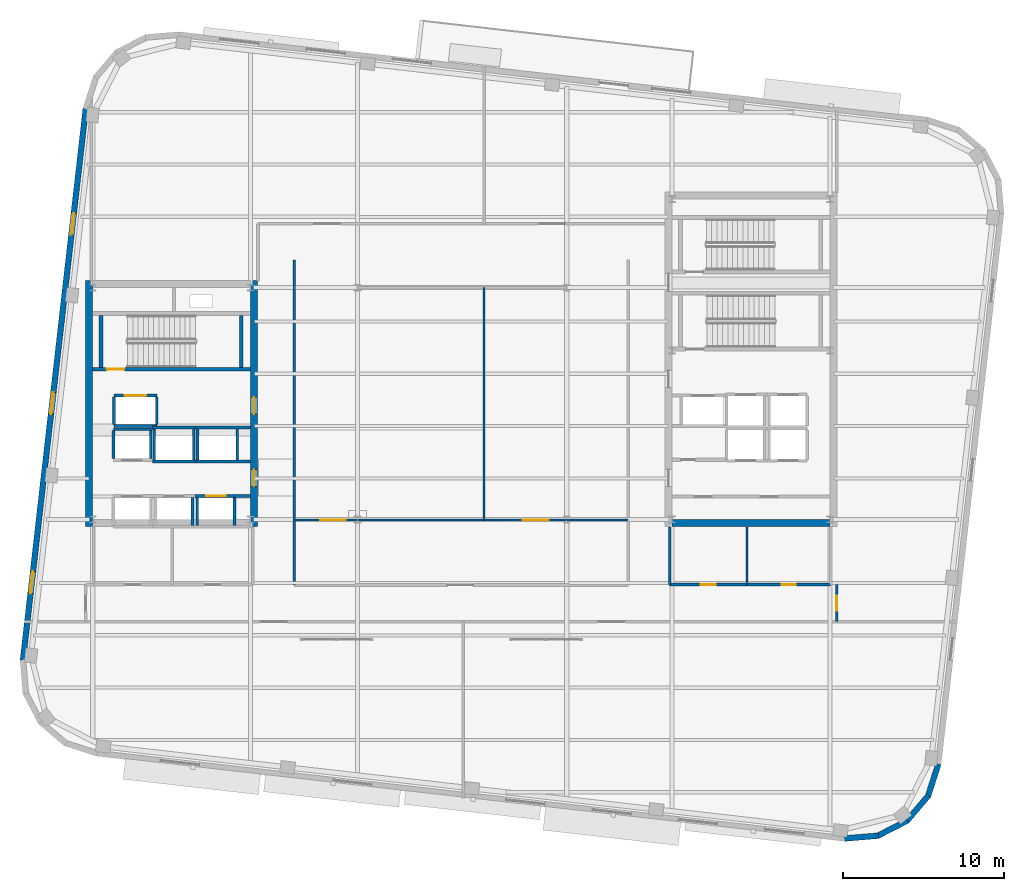
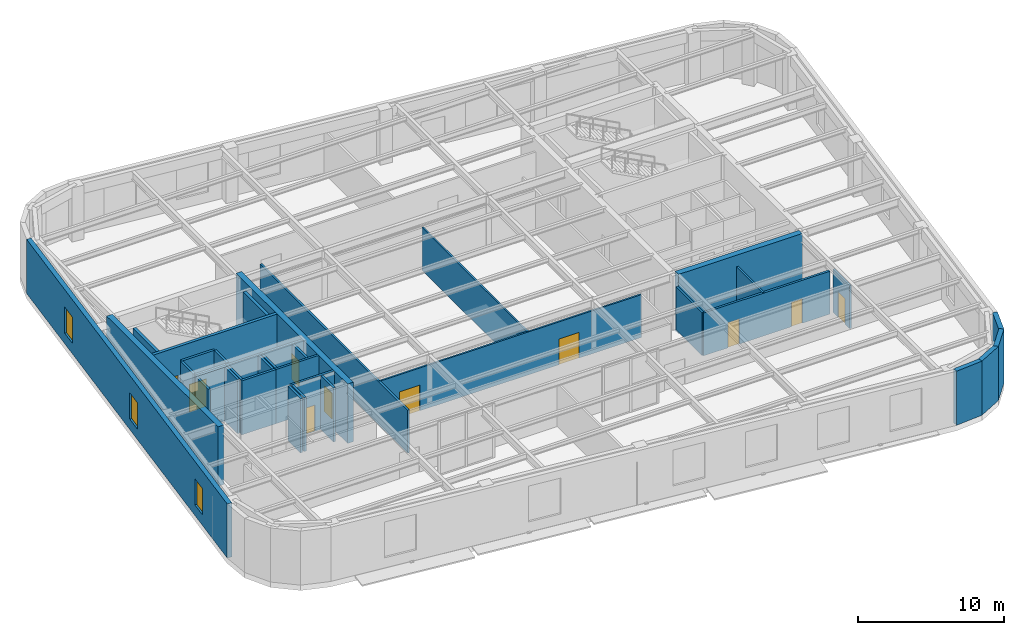
# One storey, part 8 of 15: 37 walls, 10 doors, 3 windows, 13 openings.
"""IFC4 building model written with IfcOpenShell, lengths in metres."""

from ifc_helpers import new_model, si_unit, direction, frame, frame_2d, origin, place, context, subcontext, project, spatial, rectangle, extrude, material, layer, layer_set, type_object, element, fill, save


model = new_model("IFC4")

# Units and contexts
model_context = context("Model", 3, precision=1e-05, world=origin(), true_north=direction((0.0, 1.0)))
body_context = subcontext(model_context, "Body", "Model", "MODEL_VIEW")
ifc_project = project(units=[si_unit("LENGTHUNIT", "METRE"), si_unit("AREAUNIT", "SQUARE_METRE"), si_unit("VOLUMEUNIT", "CUBIC_METRE"), si_unit("PLANEANGLEUNIT", "RADIAN"), si_unit("MASSUNIT", "GRAM", prefix="KILO")], contexts=[model_context])

# Site, building, storey
site_placement = place(None, origin())
site = spatial("IfcSite", under=ifc_project, at=site_placement, CompositionType="ELEMENT")
building_placement = place(site_placement, origin())
building = spatial("IfcBuilding", under=site, at=building_placement, Name="Kolvaren Arena Tower", CompositionType="ELEMENT")
storey_placement = place(building_placement, frame((0.0, 0.0, 216.14990234375)))
storey = spatial("IfcBuildingStorey", under=building, at=storey_placement, Name="L52", CompositionType="ELEMENT", Elevation=216.14990234375)

# Wall
ifc_material_1 = material(Name="Gypsum board acoustic assembly", Category="gypsum")
ifc_layer_1 = layer(ifc_material_1, 0.159912109375)
ifc_layer_set_1 = layer_set([ifc_layer_1], Name="Gypsum board acoustic assembly")
wall_type_1 = type_object("IfcWallType", Name="CORR-160", PredefinedType="PARTITIONING", material=ifc_layer_set_1)
wall_1_placement = place(storey_placement, frame((27.080078125, 15.3798828125, 0.0), z_axis=(0.0, 0.0, 1.0), x_axis=(0.0, 1.0, 0.0)))
element("IfcWall", 1, at=wall_1_placement, inside=storey, type_object=wall_type_1, Name="Interior Partition Wall (L52)", PredefinedType="PARTITIONING", context=body_context, shape_type="SweptSolid", body=[
    extrude(rectangle(XDim=20.2001953125, YDim=0.159912109375, at=frame_2d((10.10009765625, 0.0))), origin(), (0.0, 0.0, 1.0), 3.590087890625),
])

# Wall, opening, door
wall_2_placement = place(storey_placement, frame((60.780029296875, 13.1201171875, 0.0), z_axis=(0.0, 0.0, 1.0), x_axis=(0.0, 1.0, 0.0)))
wall_2 = element("IfcWall", 2, at=wall_2_placement, inside=storey, type_object=wall_type_1, Name="Interior Partition Wall (L52)", PredefinedType="PARTITIONING", context=body_context, shape_type="SweptSolid", body=[
    extrude(rectangle(XDim=2.2998046875, YDim=0.159912109375, at=frame_2d((1.14990234375, 0.0))), origin(), (0.0, 0.0, 1.0), 3.590087890625),
])
opening_1_placement = place(wall_2_placement, frame((0.64990234375, 0.0, 0.0)))
opening_1 = element("IfcOpeningElement", 3, at=opening_1_placement, cuts=wall_2, Name="Opening D05", PredefinedType="OPENING", context=body_context, shape_type="SweptSolid", body=[
    extrude(rectangle(XDim=0.949951171875, YDim=2.14990234375, at=frame_2d((0.47509765625, 1.074951171875))), frame((0.0, 0.08984375, 0.0), z_axis=(0.0, -1.0, 0.0), x_axis=(1.0, 0.0, 0.0)), (0.0, 0.0, 1.0), 0.179931640625),
])
ifc_material_2 = material(Name="Solid-core oak acoustic office door", Category="wood")
door_type_1 = type_object("IfcDoorType", Name="DOOR-OF-095", OperationType="NOTDEFINED", PredefinedType="DOOR", material=ifc_material_2)
door_1_placement = place(opening_1_placement, origin())
door_1 = element("IfcDoor", 4, at=door_1_placement, inside=storey, type_object=door_type_1, Name="East Exhibition Gallery Door (L52)", OperationType="SINGLE_SWING_RIGHT", OverallHeight=2.14990234375, OverallWidth=0.949951171875, PredefinedType="DOOR", context=body_context, shape_type="SweptSolid", body=[
    extrude(rectangle(XDim=0.949951171875, YDim=2.14990234375, at=frame_2d((0.47509765625, 1.074951171875))), frame((0.0, 0.02490234375, 0.0), z_axis=(0.0, -1.0, 0.0), x_axis=(1.0, 0.0, 0.0)), (0.0, 0.0, 1.0), 0.050048828125),
])
fill(opening_1, door_1)

# Wall
ifc_material_3 = material(Name="Concrete 55 MPa", Category="concrete")
ifc_layer_2 = layer(ifc_material_3, 0.449951171875)
ifc_layer_set_2 = layer_set([ifc_layer_2], Name="Concrete 55 MPa")
wall_type_2 = type_object("IfcWallType", Name="CWALL-450", PredefinedType="SHEAR", material=ifc_layer_set_2)
wall_3_placement = place(storey_placement, frame((14.324951171875, 19.0, -0.449951171875), z_axis=(0.0, 0.0, 1.0), x_axis=(0.0, 1.0, 0.0)))
element("IfcWall", 5, at=wall_3_placement, inside=storey, type_object=wall_type_2, Name="Core Shear Wall WC-WEST (L52)", PredefinedType="SHEAR", context=body_context, shape_type="SweptSolid", body=[
    extrude(rectangle(XDim=15.300048828125, YDim=0.449951171875, at=frame_2d((7.64990234375, 0.0))), origin(), (0.0, 0.0, 1.0), 4.97998046875),
])

# Wall, openings, doors
wall_4_placement = place(storey_placement, frame((24.574951171875, 19.0, -0.449951171875), z_axis=(0.0, 0.0, 1.0), x_axis=(0.0, 1.0, 0.0)))
wall_4 = element("IfcWall", 6, at=wall_4_placement, inside=storey, type_object=wall_type_2, Name="Core Shear Wall WC-EAST (L52)", PredefinedType="SHEAR", context=body_context, shape_type="SweptSolid", body=[
    extrude(rectangle(XDim=15.300048828125, YDim=0.449951171875, at=frame_2d((7.64990234375, 0.0))), origin(), (0.0, 0.0, 1.0), 4.97998046875),
])
opening_2_placement = place(wall_4_placement, frame((2.5, 0.0, 0.449951171875)))
opening_2 = element("IfcOpeningElement", 7, at=opening_2_placement, cuts=wall_4, Name="Opening D04", PredefinedType="OPENING", context=body_context, shape_type="SweptSolid", body=[
    extrude(rectangle(XDim=1.050048828125, YDim=2.14990234375, at=frame_2d((0.52490234375, 1.074951171875))), frame((0.0, 0.23486328125, 0.0), z_axis=(0.0, -1.0, 0.0), x_axis=(1.0, 0.0, 0.0)), (0.0, 0.0, 1.0), 0.469970703125),
])
opening_3_placement = place(wall_4_placement, frame((7.0, 0.0, 0.449951171875)))
opening_3 = element("IfcOpeningElement", 8, at=opening_3_placement, cuts=wall_4, Name="Opening D04", PredefinedType="OPENING", context=body_context, shape_type="SweptSolid", body=[
    extrude(rectangle(XDim=1.050048828125, YDim=2.14990234375, at=frame_2d((0.52490234375, 1.074951171875))), frame((0.0, 0.23486328125, 0.0), z_axis=(0.0, -1.0, 0.0), x_axis=(1.0, 0.0, 0.0)), (0.0, 0.0, 1.0), 0.469970703125),
])
ifc_material_4 = material(Name="Fire-rated steel lobby door", Category="steel")
door_type_2 = type_object("IfcDoorType", Name="DOOR-FF-105", OperationType="NOTDEFINED", PredefinedType="DOOR", material=ifc_material_4)
door_2_placement = place(opening_2_placement, origin())
door_2 = element("IfcDoor", 9, at=door_2_placement, inside=storey, type_object=door_type_2, Name="West Lift Lobby Fire Door (L52)", OperationType="SINGLE_SWING_LEFT", OverallHeight=2.14990234375, OverallWidth=1.050048828125, PredefinedType="DOOR", context=body_context, shape_type="SweptSolid", body=[
    extrude(rectangle(XDim=1.050048828125, YDim=2.14990234375, at=frame_2d((0.52490234375, 1.074951171875))), frame((0.0, 0.02490234375, 0.0), z_axis=(0.0, -1.0, 0.0), x_axis=(1.0, 0.0, 0.0)), (0.0, 0.0, 1.0), 0.050048828125),
])
fill(opening_2, door_2)
door_3_placement = place(opening_3_placement, origin())
door_3 = element("IfcDoor", 10, at=door_3_placement, inside=storey, type_object=door_type_2, Name="West Firefighter Vestibule Door (L52)", OperationType="SINGLE_SWING_RIGHT", OverallHeight=2.14990234375, OverallWidth=1.050048828125, PredefinedType="DOOR", context=body_context, shape_type="SweptSolid", body=[
    extrude(rectangle(XDim=1.050048828125, YDim=2.14990234375, at=frame_2d((0.52490234375, 1.074951171875))), frame((0.0, 0.02490234375, 0.0), z_axis=(0.0, -1.0, 0.0), x_axis=(1.0, 0.0, 0.0)), (0.0, 0.0, 1.0), 0.050048828125),
])
fill(opening_3, door_3)

# Walls
wall_5_placement = place(storey_placement, frame((50.550048828125, 19.22509765625, -0.449951171875), z_axis=(0.0, 0.0, 1.0), x_axis=(1.0, 0.0, 0.0)))
element("IfcWall", 11, at=wall_5_placement, inside=storey, type_object=wall_type_2, Name="Core Shear Wall EC-SOUTH (L52)", PredefinedType="SHEAR", context=body_context, shape_type="SweptSolid", body=[
    extrude(rectangle(XDim=9.800048828125, YDim=0.449951171875, at=frame_2d((4.89990234375, 0.0))), origin(), (0.0, 0.0, 1.0), 4.97998046875),
])
ifc_material_5 = material(Name="Precast concrete C50/60", Category="concrete")
ifc_layer_3 = layer(ifc_material_5, 0.360107421875)
ifc_layer_set_3 = layer_set([ifc_layer_3], Name="Precast concrete C50/60")
wall_type_3 = type_object("IfcWallType", Name="EXT-PIER2", PredefinedType="SOLIDWALL", material=ifc_layer_set_3)
wall_6_placement = place(storey_placement, frame((63.370361328125, -0.199462890625, 0.0), z_axis=(0.0, 0.0, 1.0), x_axis=(-0.996562518477, -0.082844111233, 0.0)))
element("IfcWall", 12, at=wall_6_placement, inside=storey, type_object=wall_type_3, Name="Exterior Precast Masonry-Frame Wall (L52)", PredefinedType="SOLIDWALL", context=body_context, shape_type="SweptSolid", body=[
    extrude(rectangle(XDim=2.107177734375, YDim=0.360107421875, at=frame_2d((1.0537109375, 0.0))), origin(), (0.0, 0.0, 1.0), 4.530029296875),
])
for number, where, z_axis, x_axis, name in (
    (13, (65.176025390625, 0.745849609375, 0.0), (0.0, 0.0, 1.0), (-0.888985992199, -0.457934390142, 0.0), "Exterior Precast Masonry-Frame Wall (L52)"),
    (14, (66.482421875, 2.310302734375, 0.0), (0.0, 0.0, 1.0), (-0.646103249464, -0.763250018691, 0.0), "Exterior Precast Masonry-Frame Wall (L52)"),
):
    element("IfcWall", number, at=place(storey_placement, frame(where, z_axis=z_axis, x_axis=x_axis)), inside=storey, type_object=wall_type_3, Name=name, PredefinedType="SOLIDWALL", context=body_context, shape_type="SweptSolid", body=[
        extrude(rectangle(XDim=2.10693359375, YDim=0.360107421875, at=frame_2d((1.053466796875, 0.0))), origin(), (0.0, 0.0, 1.0), 4.530029296875),
    ])
wall_7_placement = place(storey_placement, frame((67.0908203125, 4.255615234375, 0.0), z_axis=(0.0, 0.0, 1.0), x_axis=(-0.304838787518, -0.952403965565, 0.0)))
element("IfcWall", 15, at=wall_7_placement, inside=storey, type_object=wall_type_3, Name="Exterior Precast Masonry-Frame Wall (L52)", PredefinedType="SOLIDWALL", context=body_context, shape_type="SweptSolid", body=[
    extrude(rectangle(XDim=2.107177734375, YDim=0.360107421875, at=frame_2d((1.0537109375, 0.0))), origin(), (0.0, 0.0, 1.0), 4.530029296875),
])

# Wall, openings, windows
wall_8_placement = place(storey_placement, frame((10.211181640625, 10.70068359375, 0.0), z_axis=(0.0, 0.0, 1.0), x_axis=(0.113203107947, 0.993571867733, 0.0)))
wall_8 = element("IfcWall", 16, at=wall_8_placement, inside=storey, type_object=wall_type_3, Name="Exterior Precast Masonry-Frame Wall (L52)", PredefinedType="SOLIDWALL", context=body_context, shape_type="SweptSolid", body=[
    extrude(rectangle(XDim=34.5, YDim=0.360107421875, at=frame_2d((17.25, 0.0))), origin(), (0.0, 0.0, 1.0), 4.530029296875),
])
opening_4_placement = place(wall_8_placement, frame((4.199951171875, 0.0, 0.8798828125)))
opening_4 = element("IfcOpeningElement", 17, at=opening_4_placement, cuts=wall_8, Name="Opening W04", PredefinedType="OPENING", context=body_context, shape_type="SweptSolid", body=[
    extrude(rectangle(XDim=1.35009765625, YDim=2.199951171875, at=frame_2d((0.675048828125, 1.10009765625))), frame((0.0, 0.18994140625, 0.0), z_axis=(0.0, -1.0, 0.0), x_axis=(1.0, 0.0, 0.0)), (0.0, 0.0, 1.0), 0.380126953125),
])
opening_5_placement = place(wall_8_placement, frame((15.39990234375, 0.0, 0.8798828125)))
opening_5 = element("IfcOpeningElement", 18, at=opening_5_placement, cuts=wall_8, Name="Opening W04", PredefinedType="OPENING", context=body_context, shape_type="SweptSolid", body=[
    extrude(rectangle(XDim=1.35009765625, YDim=2.199951171875, at=frame_2d((0.675048828125, 1.10009765625))), frame((0.0, 0.18994140625, 0.0), z_axis=(0.0, -1.0, 0.0), x_axis=(1.0, 0.0, 0.0)), (0.0, 0.0, 1.0), 0.380126953125),
])
opening_6_placement = place(wall_8_placement, frame((26.60009765625, 0.0, 0.8798828125)))
opening_6 = element("IfcOpeningElement", 19, at=opening_6_placement, cuts=wall_8, Name="Opening W04", PredefinedType="OPENING", context=body_context, shape_type="SweptSolid", body=[
    extrude(rectangle(XDim=1.35009765625, YDim=2.199951171875, at=frame_2d((0.675048828125, 1.10009765625))), frame((0.0, 0.18994140625, 0.0), z_axis=(0.0, -1.0, 0.0), x_axis=(1.0, 0.0, 0.0)), (0.0, 0.0, 1.0), 0.380126953125),
])
ifc_material_6 = material(Name="Triple-glazed curved-facet corner window", Category="glass")
window_type = type_object("IfcWindowType", Name="WIN-CRN-A", PartitioningType="SINGLE_PANEL", PredefinedType="WINDOW", material=ifc_material_6)
window_1_placement = place(opening_4_placement, origin())
window_1 = element("IfcWindow", 20, at=window_1_placement, inside=storey, type_object=window_type, Name="End-Wall Punched Window (L52)", OverallHeight=2.199951171875, OverallWidth=1.35009765625, PartitioningType="SINGLE_PANEL", PredefinedType="WINDOW", context=body_context, shape_type="SweptSolid", body=[
    extrude(rectangle(XDim=1.35009765625, YDim=2.199951171875, at=frame_2d((0.675048828125, 1.10009765625))), frame((0.0, 0.030029296875, 0.0), z_axis=(0.0, -1.0, 0.0), x_axis=(1.0, 0.0, 0.0)), (0.0, 0.0, 1.0), 0.06005859375),
])
fill(opening_4, window_1)
window_2_placement = place(opening_5_placement, origin())
window_2 = element("IfcWindow", 21, at=window_2_placement, inside=storey, type_object=window_type, Name="End-Wall Punched Window (L52)", OverallHeight=2.199951171875, OverallWidth=1.35009765625, PartitioningType="SINGLE_PANEL", PredefinedType="WINDOW", context=body_context, shape_type="SweptSolid", body=[
    extrude(rectangle(XDim=1.35009765625, YDim=2.199951171875, at=frame_2d((0.675048828125, 1.10009765625))), frame((0.0, 0.030029296875, 0.0), z_axis=(0.0, -1.0, 0.0), x_axis=(1.0, 0.0, 0.0)), (0.0, 0.0, 1.0), 0.06005859375),
])
fill(opening_5, window_2)
window_3_placement = place(opening_6_placement, origin())
window_3 = element("IfcWindow", 22, at=window_3_placement, inside=storey, type_object=window_type, Name="End-Wall Punched Window (L52)", OverallHeight=2.199951171875, OverallWidth=1.35009765625, PartitioningType="SINGLE_PANEL", PredefinedType="WINDOW", context=body_context, shape_type="SweptSolid", body=[
    extrude(rectangle(XDim=1.35009765625, YDim=2.199951171875, at=frame_2d((0.675048828125, 1.10009765625))), frame((0.0, 0.030029296875, 0.0), z_axis=(0.0, -1.0, 0.0), x_axis=(1.0, 0.0, 0.0)), (0.0, 0.0, 1.0), 0.06005859375),
])
fill(opening_6, window_3)

# Wall, openings, doors
ifc_material_7 = material(Name="Gypsum board partition assembly", Category="gypsum")
ifc_layer_4 = layer(ifc_material_7, 0.135009765625)
ifc_layer_set_4 = layer_set([ifc_layer_4], Name="Gypsum board partition assembly")
wall_type_4 = type_object("IfcWallType", Name="PART-135", PredefinedType="PARTITIONING", material=ifc_layer_set_4)
wall_9_placement = place(storey_placement, frame((27.080078125, 19.419921875, 0.0), z_axis=(0.0, 0.0, 1.0), x_axis=(1.0, 0.0, 0.0)))
wall_9 = element("IfcWall", 23, at=wall_9_placement, inside=storey, type_object=wall_type_4, Name="Interior Partition Wall (L52)", PredefinedType="PARTITIONING", context=body_context, shape_type="SweptSolid", body=[
    extrude(rectangle(XDim=20.739990234375, YDim=0.135009765625, at=frame_2d((10.3701171875, 0.0))), origin(), (0.0, 0.0, 1.0), 3.590087890625),
])
opening_7_placement = place(wall_9_placement, frame((1.60009765625, 0.0, 0.0)))
opening_7 = element("IfcOpeningElement", 24, at=opening_7_placement, cuts=wall_9, Name="Opening D06", PredefinedType="OPENING", context=body_context, shape_type="SweptSolid", body=[
    extrude(rectangle(XDim=1.60009765625, YDim=2.14990234375, at=frame_2d((0.800048828125, 1.074951171875))), frame((0.0, 0.077392578125, 0.0), z_axis=(0.0, -1.0, 0.0), x_axis=(1.0, 0.0, 0.0)), (0.0, 0.0, 1.0), 0.155029296875),
])
opening_8_placement = place(wall_9_placement, frame((14.199951171875, 0.0, 0.0)))
opening_8 = element("IfcOpeningElement", 25, at=opening_8_placement, cuts=wall_9, Name="Opening D06", PredefinedType="OPENING", context=body_context, shape_type="SweptSolid", body=[
    extrude(rectangle(XDim=1.60009765625, YDim=2.14990234375, at=frame_2d((0.800048828125, 1.074951171875))), frame((0.0, 0.077392578125, 0.0), z_axis=(0.0, -1.0, 0.0), x_axis=(1.0, 0.0, 0.0)), (0.0, 0.0, 1.0), 0.155029296875),
])
ifc_material_8 = material(Name="Glazed acoustic boardroom double door", Category="aluminium")
door_type_3 = type_object("IfcDoorType", Name="DOOR-MT-160", OperationType="DOUBLE_DOOR_SINGLE_SWING", PredefinedType="DOOR", material=ifc_material_8)
door_4_placement = place(opening_7_placement, origin())
door_4 = element("IfcDoor", 26, at=door_4_placement, inside=storey, type_object=door_type_3, Name="Central Hall West Door (L52)", OperationType="DOUBLE_DOOR_SINGLE_SWING", OverallHeight=2.14990234375, OverallWidth=1.60009765625, PredefinedType="DOOR", context=body_context, shape_type="SweptSolid", body=[
    extrude(rectangle(XDim=1.60009765625, YDim=2.14990234375, at=frame_2d((0.800048828125, 1.074951171875))), frame((0.0, 0.02490234375, 0.0), z_axis=(0.0, -1.0, 0.0), x_axis=(1.0, 0.0, 0.0)), (0.0, 0.0, 1.0), 0.050048828125),
])
fill(opening_7, door_4)
door_5_placement = place(opening_8_placement, origin())
door_5 = element("IfcDoor", 27, at=door_5_placement, inside=storey, type_object=door_type_3, Name="Central Hall East Door (L52)", OperationType="DOUBLE_DOOR_SINGLE_SWING", OverallHeight=2.14990234375, OverallWidth=1.60009765625, PredefinedType="DOOR", context=body_context, shape_type="SweptSolid", body=[
    extrude(rectangle(XDim=1.60009765625, YDim=2.14990234375, at=frame_2d((0.800048828125, 1.074951171875))), frame((0.0, 0.02490234375, 0.0), z_axis=(0.0, -1.0, 0.0), x_axis=(1.0, 0.0, 0.0)), (0.0, 0.0, 1.0), 0.050048828125),
])
fill(opening_8, door_5)

# Wall
wall_10_placement = place(storey_placement, frame((38.8701171875, 19.419921875, 0.0), z_axis=(0.0, 0.0, 1.0), x_axis=(0.0, 1.0, 0.0)))
element("IfcWall", 28, at=wall_10_placement, inside=storey, type_object=wall_type_4, Name="Interior Partition Wall (L52)", PredefinedType="PARTITIONING", context=body_context, shape_type="SweptSolid", body=[
    extrude(rectangle(XDim=14.43017578125, YDim=0.135009765625, at=frame_2d((7.215087890625, 0.0))), origin(), (0.0, 0.0, 1.0), 3.590087890625),
])

# Wall, opening, door
ifc_material_9 = material(Name="Concrete 45 MPa", Category="concrete")
ifc_layer_5 = layer(ifc_material_9, 0.25)
ifc_layer_set_5 = layer_set([ifc_layer_5], Name="Concrete 45 MPa")
wall_type_5 = type_object("IfcWallType", Name="SHAFT-250", PredefinedType="SOLIDWALL", material=ifc_layer_set_5)
wall_11_placement = place(storey_placement, frame((24.35009765625, 28.780029296875, 0.0), z_axis=(0.0, 0.0, 1.0), x_axis=(-1.0, 0.0, 0.0)))
wall_11 = element("IfcWall", 29, at=wall_11_placement, inside=storey, type_object=wall_type_5, Name="Core Shaft Wall (L52)", PredefinedType="SOLIDWALL", context=body_context, shape_type="SweptSolid", body=[
    extrude(rectangle(XDim=9.800048828125, YDim=0.239990234375, at=frame_2d((4.89990234375, 0.0))), origin(), (0.0, 0.0, 1.0), 4.530029296875),
])
opening_9_placement = place(wall_11_placement, frame((7.830078125, 0.0, 0.0)))
opening_9 = element("IfcOpeningElement", 30, at=opening_9_placement, cuts=wall_11, Name="Opening D03", PredefinedType="OPENING", context=body_context, shape_type="SweptSolid", body=[
    extrude(rectangle(XDim=1.10009765625, YDim=2.14990234375, at=frame_2d((0.550048828125, 1.074951171875))), frame((0.0, 0.1298828125, 0.0), z_axis=(0.0, -1.0, 0.0), x_axis=(1.0, 0.0, 0.0)), (0.0, 0.0, 1.0), 0.260009765625),
])
ifc_material_10 = material(Name="Fire-rated steel exit stair door", Category="steel")
door_type_4 = type_object("IfcDoorType", Name="DOOR-ST-110", OperationType="NOTDEFINED", PredefinedType="DOOR", material=ifc_material_10)
door_6_placement = place(opening_9_placement, origin())
door_6 = element("IfcDoor", 31, at=door_6_placement, inside=storey, type_object=door_type_4, Name="Stair ST-W1 Fire Door (L52)", OperationType="SINGLE_SWING_RIGHT", OverallHeight=2.14990234375, OverallWidth=1.10009765625, PredefinedType="DOOR", context=body_context, shape_type="SweptSolid", body=[
    extrude(rectangle(XDim=1.10009765625, YDim=2.14990234375, at=frame_2d((0.550048828125, 1.074951171875))), frame((0.0, 0.02490234375, 0.0), z_axis=(0.0, -1.0, 0.0), x_axis=(1.0, 0.0, 0.0)), (0.0, 0.0, 1.0), 0.050048828125),
])
fill(opening_9, door_6)

# Walls
for number, where, z_axis, x_axis, name in (
    (32, (15.06005859375, 28.89990234375, 0.0), (0.0, 0.0, 1.0), (0.0, 1.0, 0.0), "Core Shaft Wall (L52)"),
    (33, (23.780029296875, 28.89990234375, 0.0), (0.0, 0.0, 1.0), (0.0, 1.0, 0.0), "Core Shaft Wall (L52)"),
):
    element("IfcWall", number, at=place(storey_placement, frame(where, z_axis=z_axis, x_axis=x_axis)), inside=storey, type_object=wall_type_5, Name=name, PredefinedType="SOLIDWALL", context=body_context, shape_type="SweptSolid", body=[
        extrude(rectangle(XDim=3.22998046875, YDim=0.239990234375, at=frame_2d((1.614990234375, 0.0))), origin(), (0.0, 0.0, 1.0), 4.530029296875),
    ])
wall_12_placement = place(storey_placement, frame((20.7548828125, 19.0849609375, 0.0), z_axis=(0.0, 0.0, 1.0), x_axis=(0.0, 1.0, 0.0)))
element("IfcWall", 34, at=wall_12_placement, inside=storey, type_object=wall_type_5, Name="Core Shaft Wall (L52)", PredefinedType="SOLIDWALL", context=body_context, shape_type="SweptSolid", body=[
    extrude(rectangle(XDim=1.72998046875, YDim=0.179931640625, at=frame_2d((0.864990234375, 0.0))), origin(), (0.0, 0.0, 1.0), 4.530029296875),
])

# Wall, opening, door
wall_13_placement = place(storey_placement, frame((20.89990234375, 20.905029296875, 0.0), z_axis=(0.0, 0.0, 1.0), x_axis=(1.0, 0.0, 0.0)))
wall_13 = element("IfcWall", 35, at=wall_13_placement, inside=storey, type_object=wall_type_5, Name="Core Shaft Wall (L52)", PredefinedType="SOLIDWALL", context=body_context, shape_type="SweptSolid", body=[
    extrude(rectangle(XDim=3.4501953125, YDim=0.179931640625, at=frame_2d((1.72509765625, 0.0))), origin(), (0.0, 0.0, 1.0), 4.530029296875),
])
opening_10_placement = place(wall_13_placement, frame((0.699951171875, 0.0, 0.0)))
opening_10 = element("IfcOpeningElement", 36, at=opening_10_placement, cuts=wall_13, Name="Opening LD1", PredefinedType="OPENING", context=body_context, shape_type="SweptSolid", body=[
    extrude(rectangle(XDim=1.199951171875, YDim=2.199951171875, at=frame_2d((0.60009765625, 1.10009765625))), frame((0.0, 0.099853515625, 0.0), z_axis=(0.0, -1.0, 0.0), x_axis=(1.0, 0.0, 0.0)), (0.0, 0.0, 1.0), 0.199951171875),
])
ifc_material_11 = material(Name="Stainless steel passenger lift landing door", Category="steel")
door_type_5 = type_object("IfcDoorType", Name="DOOR-LD-120", OperationType="DOUBLE_DOOR_SLIDING", PredefinedType="DOOR", material=ifc_material_11)
door_7_placement = place(opening_10_placement, origin())
door_7 = element("IfcDoor", 37, at=door_7_placement, inside=storey, type_object=door_type_5, Name="Lift EL-MR3 Landing Door (L52)", OperationType="DOUBLE_DOOR_SLIDING", OverallHeight=2.199951171875, OverallWidth=1.199951171875, PredefinedType="DOOR", context=body_context, shape_type="SweptSolid", body=[
    extrude(rectangle(XDim=1.199951171875, YDim=2.199951171875, at=frame_2d((0.60009765625, 1.10009765625))), frame((0.0, 0.02490234375, 0.0), z_axis=(0.0, -1.0, 0.0), x_axis=(1.0, 0.0, 0.0)), (0.0, 0.0, 1.0), 0.050048828125),
])
fill(opening_10, door_7)

# Walls
for number, where, z_axis, x_axis, name in (
    (38, (21.044921875, 19.0849609375, 0.0), (0.0, 0.0, 1.0), (0.0, 1.0, 0.0), "Core Shaft Wall (L52)"),
    (39, (23.35498046875, 19.0849609375, 0.0), (0.0, 0.0, 1.0), (0.0, 1.0, 0.0), "Core Shaft Wall (L52)"),
):
    element("IfcWall", number, at=place(storey_placement, frame(where, z_axis=z_axis, x_axis=x_axis)), inside=storey, type_object=wall_type_5, Name=name, PredefinedType="SOLIDWALL", context=body_context, shape_type="SweptSolid", body=[
        extrude(rectangle(XDim=1.72998046875, YDim=0.179931640625, at=frame_2d((0.864990234375, 0.0))), origin(), (0.0, 0.0, 1.0), 4.530029296875),
    ])
wall_14_placement = place(storey_placement, frame((15.844970703125, 25.054931640625, 0.0), z_axis=(0.0, 0.0, 1.0), x_axis=(1.0, 0.0, 0.0)))
element("IfcWall", 40, at=wall_14_placement, inside=storey, type_object=wall_type_5, Name="Core Shaft Wall (L52)", PredefinedType="SOLIDWALL", context=body_context, shape_type="SweptSolid", body=[
    extrude(rectangle(XDim=2.41748046875, YDim=0.179931640625, at=frame_2d((1.208740234375, 0.0))), origin(), (0.0, 0.0, 1.0), 4.530029296875),
])
for number, where, z_axis, x_axis, name in (
    (41, (15.844970703125, 23.235107421875, 0.0), (0.0, 0.0, 1.0), (0.0, 1.0, 0.0), "Core Shaft Wall (L52)"),
    (42, (18.155029296875, 23.235107421875, 0.0), (0.0, 0.0, 1.0), (0.0, 1.0, 0.0), "Core Shaft Wall (L52)"),
):
    element("IfcWall", number, at=place(storey_placement, frame(where, z_axis=z_axis, x_axis=x_axis)), inside=storey, type_object=wall_type_5, Name=name, PredefinedType="SOLIDWALL", context=body_context, shape_type="SweptSolid", body=[
        extrude(rectangle(XDim=1.72998046875, YDim=0.179931640625, at=frame_2d((0.864990234375, 0.0))), origin(), (0.0, 0.0, 1.0), 4.530029296875),
    ])
for number, where, z_axis, x_axis, name in (
    (43, (18.262451171875, 25.155029296875, 0.0), (0.0, 0.0, 1.0), (1.0, 0.0, 0.0), "Core Shaft Wall (L52)"),
    (44, (18.262451171875, 23.044921875, 0.0), (0.0, 0.0, 1.0), (1.0, 0.0, 0.0), "Core Shaft Wall (L52)"),
):
    element("IfcWall", number, at=place(storey_placement, frame(where, z_axis=z_axis, x_axis=x_axis)), inside=storey, type_object=wall_type_5, Name=name, PredefinedType="SOLIDWALL", context=body_context, shape_type="SweptSolid", body=[
        extrude(rectangle(XDim=2.6875, YDim=0.179931640625, at=frame_2d((1.34375, 0.0))), origin(), (0.0, 0.0, 1.0), 4.530029296875),
    ])
for number, where, z_axis, x_axis, name in (
    (45, (18.3701171875, 23.135009765625, 0.0), (0.0, 0.0, 1.0), (0.0, 1.0, 0.0), "Core Shaft Wall (L52)"),
    (46, (20.830078125, 23.135009765625, 0.0), (0.0, 0.0, 1.0), (0.0, 1.0, 0.0), "Core Shaft Wall (L52)"),
):
    element("IfcWall", number, at=place(storey_placement, frame(where, z_axis=z_axis, x_axis=x_axis)), inside=storey, type_object=wall_type_5, Name=name, PredefinedType="SOLIDWALL", context=body_context, shape_type="SweptSolid", body=[
        extrude(rectangle(XDim=1.929931640625, YDim=0.179931640625, at=frame_2d((0.96484375, 0.0))), origin(), (0.0, 0.0, 1.0), 4.530029296875),
    ])
for number, where, z_axis, x_axis, name in (
    (47, (20.949951171875, 25.155029296875, 0.0), (0.0, 0.0, 1.0), (1.0, 0.0, 0.0), "Core Shaft Wall (L52)"),
    (48, (20.949951171875, 23.044921875, 0.0), (0.0, 0.0, 1.0), (1.0, 0.0, 0.0), "Core Shaft Wall (L52)"),
):
    element("IfcWall", number, at=place(storey_placement, frame(where, z_axis=z_axis, x_axis=x_axis)), inside=storey, type_object=wall_type_5, Name=name, PredefinedType="SOLIDWALL", context=body_context, shape_type="SweptSolid", body=[
        extrude(rectangle(XDim=3.400146484375, YDim=0.179931640625, at=frame_2d((1.7001953125, 0.0))), origin(), (0.0, 0.0, 1.0), 4.530029296875),
    ])
for number, where, z_axis, x_axis, name in (
    (49, (21.070068359375, 23.135009765625, 0.0), (0.0, 0.0, 1.0), (0.0, 1.0, 0.0), "Core Shaft Wall (L52)"),
    (50, (23.530029296875, 23.135009765625, 0.0), (0.0, 0.0, 1.0), (0.0, 1.0, 0.0), "Core Shaft Wall (L52)"),
):
    element("IfcWall", number, at=place(storey_placement, frame(where, z_axis=z_axis, x_axis=x_axis)), inside=storey, type_object=wall_type_5, Name=name, PredefinedType="SOLIDWALL", context=body_context, shape_type="SweptSolid", body=[
        extrude(rectangle(XDim=1.929931640625, YDim=0.179931640625, at=frame_2d((0.96484375, 0.0))), origin(), (0.0, 0.0, 1.0), 4.530029296875),
    ])

# Wall, opening, door
wall_15_placement = place(storey_placement, frame((15.8701171875, 27.155029296875, 0.0), z_axis=(0.0, 0.0, 1.0), x_axis=(1.0, 0.0, 0.0)))
wall_15 = element("IfcWall", 51, at=wall_15_placement, inside=storey, type_object=wall_type_5, Name="Core Shaft Wall (L52)", PredefinedType="SOLIDWALL", context=body_context, shape_type="SweptSolid", body=[
    extrude(rectangle(XDim=2.659912109375, YDim=0.179931640625, at=frame_2d((1.330078125, 0.0))), origin(), (0.0, 0.0, 1.0), 4.530029296875),
])
opening_11_placement = place(wall_15_placement, frame((0.655029296875, 0.0, 0.0)))
opening_11 = element("IfcOpeningElement", 52, at=opening_11_placement, cuts=wall_15, Name="Opening LD2", PredefinedType="OPENING", context=body_context, shape_type="SweptSolid", body=[
    extrude(rectangle(XDim=1.35009765625, YDim=2.300048828125, at=frame_2d((0.675048828125, 1.14990234375))), frame((0.0, 0.099853515625, 0.0), z_axis=(0.0, -1.0, 0.0), x_axis=(1.0, 0.0, 0.0)), (0.0, 0.0, 1.0), 0.199951171875),
])
ifc_material_12 = material(Name="Stainless steel firefighter lift landing door", Category="steel")
door_type_6 = type_object("IfcDoorType", Name="DOOR-LD-135", OperationType="DOUBLE_DOOR_SLIDING", PredefinedType="DOOR", material=ifc_material_12)
door_8_placement = place(opening_11_placement, origin())
door_8 = element("IfcDoor", 53, at=door_8_placement, inside=storey, type_object=door_type_6, Name="Firefighter Lift FF-W1 Landing Door (L52)", OperationType="DOUBLE_DOOR_SLIDING", OverallHeight=2.300048828125, OverallWidth=1.35009765625, PredefinedType="DOOR", context=body_context, shape_type="SweptSolid", body=[
    extrude(rectangle(XDim=1.35009765625, YDim=2.300048828125, at=frame_2d((0.675048828125, 1.14990234375))), frame((0.0, 0.02490234375, 0.0), z_axis=(0.0, -1.0, 0.0), x_axis=(1.0, 0.0, 0.0)), (0.0, 0.0, 1.0), 0.050048828125),
])
fill(opening_11, door_8)

# Walls
wall_16_placement = place(storey_placement, frame((15.8701171875, 25.2451171875, 0.0), z_axis=(0.0, 0.0, 1.0), x_axis=(1.0, 0.0, 0.0)))
element("IfcWall", 54, at=wall_16_placement, inside=storey, type_object=wall_type_5, Name="Core Shaft Wall (L52)", PredefinedType="SOLIDWALL", context=body_context, shape_type="SweptSolid", body=[
    extrude(rectangle(XDim=2.659912109375, YDim=0.179931640625, at=frame_2d((1.330078125, 0.0))), origin(), (0.0, 0.0, 1.0), 4.530029296875),
])
for number, where, z_axis, x_axis, name in (
    (55, (15.8701171875, 25.3349609375, 0.0), (0.0, 0.0, 1.0), (0.0, 1.0, 0.0), "Core Shaft Wall (L52)"),
    (56, (18.530029296875, 25.3349609375, 0.0), (0.0, 0.0, 1.0), (0.0, 1.0, 0.0), "Core Shaft Wall (L52)"),
):
    element("IfcWall", number, at=place(storey_placement, frame(where, z_axis=z_axis, x_axis=x_axis)), inside=storey, type_object=wall_type_5, Name=name, PredefinedType="SOLIDWALL", context=body_context, shape_type="SweptSolid", body=[
        extrude(rectangle(XDim=1.72998046875, YDim=0.179931640625, at=frame_2d((0.864990234375, 0.0))), origin(), (0.0, 0.0, 1.0), 4.530029296875),
    ])

# Wall, openings, doors
wall_17_placement = place(storey_placement, frame((50.39990234375, 15.39990234375, 0.0), z_axis=(0.0, 0.0, 1.0), x_axis=(1.0, 0.0, 0.0)))
wall_17 = element("IfcWall", 57, at=wall_17_placement, inside=storey, type_object=wall_type_5, Name="Interior Partition Wall (L52)", PredefinedType="SOLIDWALL", context=body_context, shape_type="SweptSolid", body=[
    extrude(rectangle(XDim=10.0, YDim=0.179931640625, at=frame_2d((5.0, 0.0))), origin(), (0.0, 0.0, 1.0), 3.590087890625),
])
opening_12_placement = place(wall_17_placement, frame((1.93994140625, 0.0, 0.0)))
opening_12 = element("IfcOpeningElement", 58, at=opening_12_placement, cuts=wall_17, Name="Opening D07", PredefinedType="OPENING", context=body_context, shape_type="SweptSolid", body=[
    extrude(rectangle(XDim=0.919921875, YDim=2.10009765625, at=frame_2d((0.4599609375, 1.050048828125))), frame((0.0, 0.099853515625, 0.0), z_axis=(0.0, -1.0, 0.0), x_axis=(1.0, 0.0, 0.0)), (0.0, 0.0, 1.0), 0.199951171875),
])
opening_13_placement = place(wall_17_placement, frame((6.969970703125, 0.0, 0.0)))
opening_13 = element("IfcOpeningElement", 59, at=opening_13_placement, cuts=wall_17, Name="Opening D09", PredefinedType="OPENING", context=body_context, shape_type="SweptSolid", body=[
    extrude(rectangle(XDim=0.860107421875, YDim=2.050048828125, at=frame_2d((0.43017578125, 1.02490234375))), frame((0.0, 0.099853515625, 0.0), z_axis=(0.0, -1.0, 0.0), x_axis=(1.0, 0.0, 0.0)), (0.0, 0.0, 1.0), 0.199951171875),
])
ifc_material_13 = material(Name="Fire-rated steel riser access door", Category="steel")
door_type_7 = type_object("IfcDoorType", Name="DOOR-RS-086", OperationType="NOTDEFINED", PredefinedType="DOOR", material=ifc_material_13)
door_9_placement = place(opening_13_placement, origin())
door_9 = element("IfcDoor", 60, at=door_9_placement, inside=storey, type_object=door_type_7, Name="Electrical Riser Closet Door (L52)", OperationType="SINGLE_SWING_LEFT", OverallHeight=2.050048828125, OverallWidth=0.860107421875, PredefinedType="DOOR", context=body_context, shape_type="SweptSolid", body=[
    extrude(rectangle(XDim=0.860107421875, YDim=2.050048828125, at=frame_2d((0.43017578125, 1.02490234375))), frame((0.0, 0.02490234375, 0.0), z_axis=(0.0, -1.0, 0.0), x_axis=(1.0, 0.0, 0.0)), (0.0, 0.0, 1.0), 0.050048828125),
])
fill(opening_13, door_9)
ifc_material_14 = material(Name="Laminate universal washroom door", Category="wood")
door_type_8 = type_object("IfcDoorType", Name="DOOR-WC-092", OperationType="NOTDEFINED", PredefinedType="DOOR", material=ifc_material_14)
door_10_placement = place(opening_12_placement, origin())
door_10 = element("IfcDoor", 61, at=door_10_placement, inside=storey, type_object=door_type_8, Name="Cleaner and Janitor Store Door (L52)", OperationType="SINGLE_SWING_RIGHT", OverallHeight=2.10009765625, OverallWidth=0.919921875, PredefinedType="DOOR", context=body_context, shape_type="SweptSolid", body=[
    extrude(rectangle(XDim=0.919921875, YDim=2.10009765625, at=frame_2d((0.4599609375, 1.050048828125))), frame((0.0, 0.02490234375, 0.0), z_axis=(0.0, -1.0, 0.0), x_axis=(1.0, 0.0, 0.0)), (0.0, 0.0, 1.0), 0.050048828125),
])
fill(opening_12, door_10)

# Walls
ifc_material_15 = material(Name="Moisture-resistant gypsum assembly", Category="gypsum")
ifc_layer_6 = layer(ifc_material_15, 0.14990234375)
ifc_layer_set_6 = layer_set([ifc_layer_6], Name="Moisture-resistant gypsum assembly")
wall_type_6 = type_object("IfcWallType", Name="WETW-150", PredefinedType="PARTITIONING", material=ifc_layer_set_6)
for number, where, z_axis, x_axis, name in (
    (62, (55.199951171875, 15.39990234375, 0.0), (0.0, 0.0, 1.0), (0.0, 1.0, 0.0), "Interior Partition Wall (L52)"),
    (63, (50.39990234375, 15.39990234375, 0.0), (0.0, 0.0, 1.0), (0.0, 1.0, 0.0), "Interior Partition Wall (L52)"),
):
    element("IfcWall", number, at=place(storey_placement, frame(where, z_axis=z_axis, x_axis=x_axis)), inside=storey, type_object=wall_type_6, Name=name, PredefinedType="PARTITIONING", context=body_context, shape_type="SweptSolid", body=[
        extrude(rectangle(XDim=3.580078125, YDim=0.14990234375, at=frame_2d((1.7900390625, 0.0))), origin(), (0.0, 0.0, 1.0), 3.590087890625),
    ])

save(model, "model.ifc")
